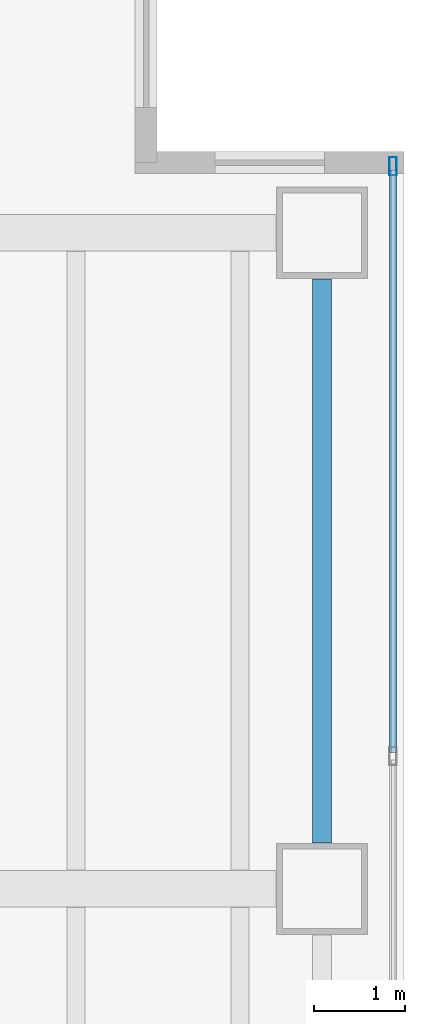
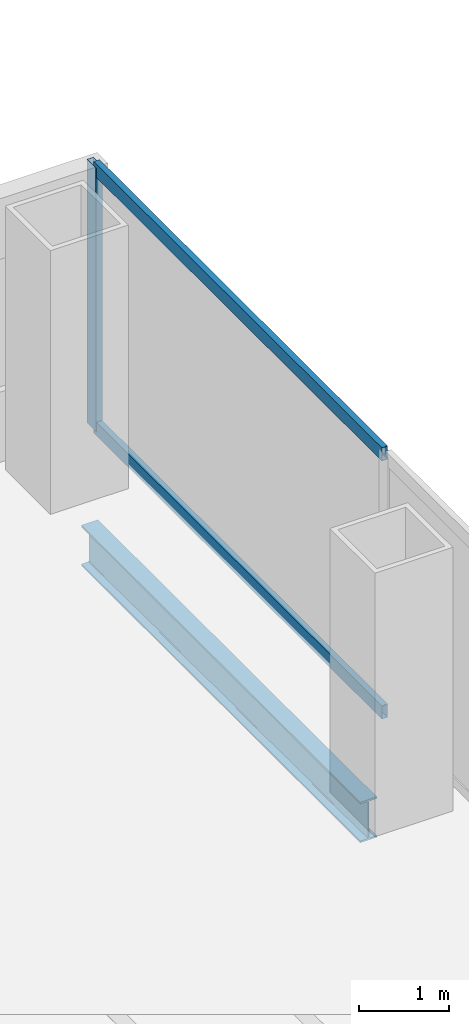
# One storey, part 13 of 23: 3 members, 1 beam, 1 element without a shape of its own.
"""IFC4 building model written with IfcOpenShell, lengths in metres."""

from ifc_helpers import new_model, si_unit, direction, frame, origin, origin_2d, place, context, subcontext, project, spatial, hollow_rectangle, i_section, extrude, material, material_profile, profile_set, type_object, element, aggregate, save


model = new_model("IFC4")

# Units and contexts
model_context = context("Model", 3, precision=1e-05, world=origin(), true_north=direction((0.0, 1.0)))
body_context = subcontext(model_context, "Body", "Model", "MODEL_VIEW")
ifc_project = project(units=[si_unit("LENGTHUNIT", "METRE"), si_unit("AREAUNIT", "SQUARE_METRE"), si_unit("VOLUMEUNIT", "CUBIC_METRE"), si_unit("PLANEANGLEUNIT", "RADIAN"), si_unit("MASSUNIT", "GRAM", prefix="KILO")], contexts=[model_context])

# Site, building, storey
site_placement = place(None, origin())
site = spatial("IfcSite", under=ifc_project, at=site_placement, CompositionType="ELEMENT")
building_placement = place(site_placement, origin())
building = spatial("IfcBuilding", under=site, at=building_placement, Name="Cobrela Telecom Tower", CompositionType="ELEMENT")
storey_placement = place(building_placement, frame((0.0, 0.0, 65.800048828125)))
storey = spatial("IfcBuildingStorey", under=building, at=storey_placement, Name="L16", CompositionType="ELEMENT", Elevation=65.800048828125)

# Beam
ifc_material_1 = material(Name="Steel ASTM A992 Grade 50", Category="steel")
ifc_material_profile_1 = material_profile(ifc_material_1, i_section(OverallWidth=0.212890625, OverallDepth=0.549072265625, WebThickness=0.0146484375, FlangeThickness=0.023681640625, FilletRadius=0.013916015625, at=origin_2d()), Name="W21X93")
ifc_profile_set_1 = profile_set([ifc_material_profile_1], Name="Steel ASTM A992 Grade 50")
beam_type = type_object("IfcBeamType", Name="BM-SPAND-03", PredefinedType="SPANDREL", material=ifc_profile_set_1)
beam_placement = place(storey_placement, frame((49.5, 14.905029296875, -0.554443359375), z_axis=(0.0, 1.0, 0.0), x_axis=(-1.0, 0.0, 0.0)))
element("IfcBeam", 1, at=beam_placement, inside=storey, type_object=beam_type, Name="L16 Perimeter Spandrel Y57", PredefinedType="SPANDREL", context=body_context, shape_type="SweptSolid", body=[
    extrude(i_section(OverallWidth=0.212890625, OverallDepth=0.549072265625, WebThickness=0.0146484375, FlangeThickness=0.023681640625, FilletRadius=0.013916015625, at=origin_2d()), origin(), (0.0, 0.0, 1.0), 6.18994140625),
])

# Curtain wall, members
ifc_material_2 = material(Name="Anodized Bronze Aluminium 6063-T6", Category="aluminium")
curtain_wall_type = type_object("IfcCurtainWallType", Name="CW-SYS-DATA", PredefinedType="USERDEFINED", material=ifc_material_2)
curtain_wall_placement = place(storey_placement, origin())
curtain_wall = element("IfcCurtainWall", 2, at=curtain_wall_placement, inside=storey, type_object=curtain_wall_type, Name="L16 Unitised Bronze Curtain Wall 14", ObjectType="UNITISED CURTAIN WALL", PredefinedType="USERDEFINED")
ifc_material_profile_2 = material_profile(ifc_material_2, hollow_rectangle(XDim=0.080078125, YDim=0.199951171875, WallThickness=0.00390625, at=origin_2d()), Name="ALU 80x200x4")
ifc_profile_set_2 = profile_set([ifc_material_profile_2], Name="Anodized Bronze Aluminium 6063-T6")
member_type_1 = type_object("IfcMemberType", Name="CW-SYS-DATA-MUL", PredefinedType="MULLION", material=ifc_profile_set_2)
member_1_placement = place(storey_placement, frame((50.280029296875, 22.330078125, 0.0), z_axis=(0.0, 0.0, 1.0), x_axis=(1.0, 0.0, 0.0)))
member_1 = element("IfcMember", 3, at=member_1_placement, type_object=member_type_1, Name="CW-DATA mullion 1", PredefinedType="MULLION", context=body_context, shape_type="SweptSolid", body=[
    extrude(hollow_rectangle(XDim=0.080078125, YDim=0.199951171875, WallThickness=0.00390625, at=origin_2d()), origin(), (0.0, 0.0, 1.0), 3.570068359375),
])
ifc_material_profile_3 = material_profile(ifc_material_2, hollow_rectangle(XDim=0.074951171875, YDim=0.179931640625, WallThickness=0.00390625, at=origin_2d()), Name="ALU 75x180x4")
ifc_profile_set_3 = profile_set([ifc_material_profile_3], Name="Anodized Bronze Aluminium 6063-T6")
member_type_2 = type_object("IfcMemberType", Name="CW-SYS-DATA-TRN", PredefinedType="USERDEFINED", material=ifc_profile_set_3)
member_2_placement = place(storey_placement, frame((50.280029296875, 22.2900390625, 0.037353515625), z_axis=(0.0, -1.0, 0.0), x_axis=(1.0, 0.0, 0.0)))
member_2 = element("IfcMember", 4, at=member_2_placement, type_object=member_type_2, Name="CW-DATA transom 1.1", ObjectType="TRANSOM", PredefinedType="USERDEFINED", context=body_context, shape_type="SweptSolid", body=[
    extrude(hollow_rectangle(XDim=0.074951171875, YDim=0.179931640625, WallThickness=0.00390625, at=origin_2d()), origin(), (0.0, 0.0, 1.0), 6.393310546875),
])
member_3_placement = place(storey_placement, frame((50.280029296875, 22.2900390625, 3.532470703125), z_axis=(0.0, -1.0, 0.0), x_axis=(1.0, 0.0, 0.0)))
member_3 = element("IfcMember", 5, at=member_3_placement, type_object=member_type_2, Name="CW-DATA transom 1.2", ObjectType="TRANSOM", PredefinedType="USERDEFINED", context=body_context, shape_type="SweptSolid", body=[
    extrude(hollow_rectangle(XDim=0.074951171875, YDim=0.179931640625, WallThickness=0.00390625, at=origin_2d()), origin(), (0.0, 0.0, 1.0), 6.393310546875),
])
aggregate(curtain_wall, [member_1, member_2, member_3])

save(model, "model.ifc")
